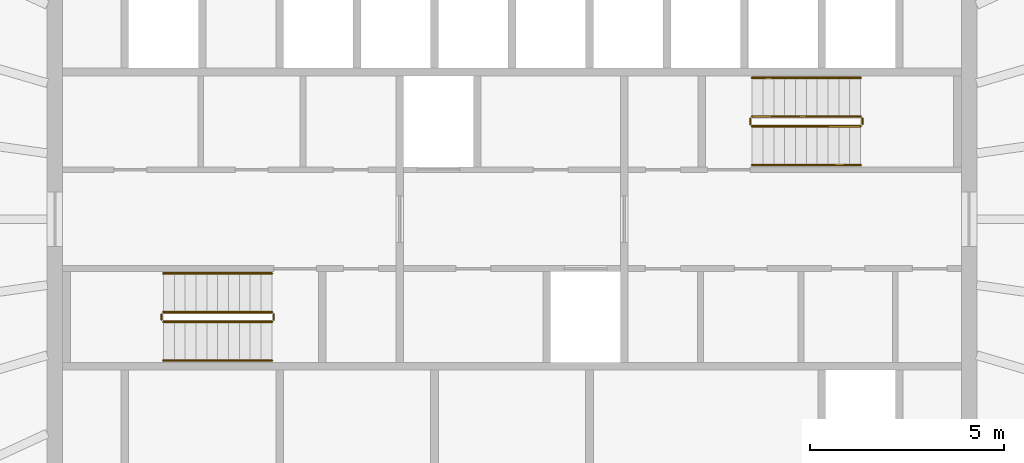
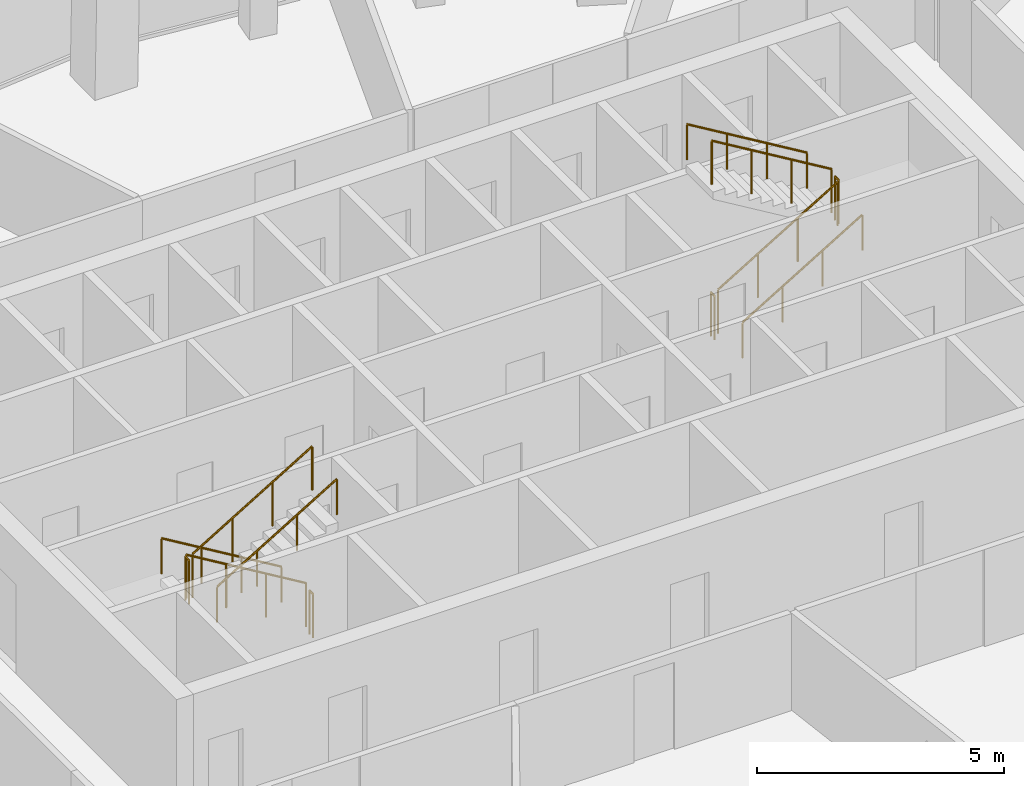
# One storey, part 12 of 12: 12 railings.
"""IFC4 building model written with IfcOpenShell, lengths in metres."""

from ifc_helpers import new_model, si_unit, direction, frame, origin, origin_2d, place, context, subcontext, project, spatial, circle, extrude, material, type_object, element, save


model = new_model("IFC4")

# Units and contexts
model_context = context("Model", 3, precision=1e-05, world=origin(), true_north=direction((0.0, 1.0)))
body_context = subcontext(model_context, "Body", "Model", "MODEL_VIEW")
ifc_project = project(units=[si_unit("LENGTHUNIT", "METRE"), si_unit("AREAUNIT", "SQUARE_METRE"), si_unit("VOLUMEUNIT", "CUBIC_METRE"), si_unit("PLANEANGLEUNIT", "RADIAN"), si_unit("MASSUNIT", "GRAM", prefix="KILO")], contexts=[model_context])

# Site, building, storey
site_placement = place(None, origin())
site = spatial("IfcSite", under=ifc_project, at=site_placement, CompositionType="ELEMENT")
building_placement = place(site_placement, origin())
building = spatial("IfcBuilding", under=site, at=building_placement, Name="Siaravel Broadcast Tower", CompositionType="ELEMENT")
storey_placement = place(building_placement, frame((0.0, 0.0, 231.89990234375)))
storey = spatial("IfcBuildingStorey", under=building, at=storey_placement, Name="L56", CompositionType="ELEMENT", Elevation=231.89990234375)

# Railings
ifc_material = material(Name="Stainless steel 316L", Category="steel")
railing_type_1 = type_object("IfcRailingType", Name="Stair guard 1100", PredefinedType="GUARDRAIL", material=ifc_material)
railing_1_placement = place(storey_placement, frame((-6.199951171875, -2.39990234375, 0.168212890625)))
element("IfcRailing", 1, at=railing_1_placement, inside=storey, type_object=railing_type_1, Name="L56 ST-1 stair guard 1", PredefinedType="GUARDRAIL", context=body_context, shape_type="SweptSolid", body=[
    extrude(circle(Radius=0.02392578125, at=origin_2d()), frame((0.0, 0.0, 1.076171875), z_axis=(-0.857242211, 0.0, 0.514913383), x_axis=(0.0, -1.0, 0.0)), (0.0, 0.0, 1.0), 3.266357421875),
    extrude(circle(Radius=0.02099609375, at=origin_2d()), origin(), (0.0, 0.0, 1.0), 1.052001953125),
    extrude(circle(Radius=0.02099609375, at=origin_2d()), frame((-0.933349609375, 0.0, 0.560546875)), (0.0, 0.0, 1.0), 1.052001953125),
    extrude(circle(Radius=0.02099609375, at=origin_2d()), frame((-1.86669921875, 0.0, 1.121337890625)), (0.0, 0.0, 1.0), 1.052001953125),
    extrude(circle(Radius=0.02099609375, at=origin_2d()), frame((-2.800048828125, 0.0, 1.681884765625)), (0.0, 0.0, 1.0), 1.052001953125),
])
railing_2_placement = place(storey_placement, frame((-9.050048828125, -2.449951171875, 1.85009765625)))
element("IfcRailing", 2, at=railing_2_placement, inside=storey, type_object=railing_type_1, Name="L56 ST-1 stair guard 2", PredefinedType="GUARDRAIL", context=body_context, shape_type="SweptSolid", body=[
    extrude(circle(Radius=0.02392578125, at=origin_2d()), frame((0.0, 0.0, 1.076171875), z_axis=(0.0, -1.0, 0.0), x_axis=(1.0, 0.0, 0.0)), (0.0, 0.0, 1.0), 0.150146484375),
    extrude(circle(Radius=0.02099609375, at=origin_2d()), origin(), (0.0, 0.0, 1.0), 1.052001953125),
    extrude(circle(Radius=0.02099609375, at=origin_2d()), frame((0.0, -0.150146484375, 0.0)), (0.0, 0.0, 1.0), 1.052001953125),
])
railing_3_placement = place(storey_placement, frame((-9.0, -2.64990234375, 2.018310546875)))
element("IfcRailing", 3, at=railing_3_placement, inside=storey, type_object=railing_type_1, Name="L56 ST-1 stair guard 3", PredefinedType="GUARDRAIL", context=body_context, shape_type="SweptSolid", body=[
    extrude(circle(Radius=0.02392578125, at=origin_2d()), frame((0.0, 0.0, 1.076171875), z_axis=(0.857242211, 0.0, 0.514913383), x_axis=(0.0, 1.0, 0.0)), (0.0, 0.0, 1.0), 3.266357421875),
    extrude(circle(Radius=0.02099609375, at=origin_2d()), origin(), (0.0, 0.0, 1.0), 1.052001953125),
    extrude(circle(Radius=0.02099609375, at=origin_2d()), frame((0.933349609375, 0.0, 0.560546875)), (0.0, 0.0, 1.0), 1.052001953125),
    extrude(circle(Radius=0.02099609375, at=origin_2d()), frame((1.86669921875, 0.0, 1.121337890625)), (0.0, 0.0, 1.0), 1.052001953125),
    extrude(circle(Radius=0.02099609375, at=origin_2d()), frame((2.800048828125, 0.0, 1.681884765625)), (0.0, 0.0, 1.0), 1.052001953125),
])
railing_4_placement = place(storey_placement, frame((-6.14990234375, -2.449951171875, 0.0)))
element("IfcRailing", 4, at=railing_4_placement, inside=storey, type_object=railing_type_1, Name="L56 ST-1 stair guard 4", PredefinedType="GUARDRAIL", context=body_context, shape_type="SweptSolid", body=[
    extrude(circle(Radius=0.02392578125, at=origin_2d()), frame((0.0, 0.0, 1.076171875), z_axis=(0.0, -1.0, 0.0), x_axis=(1.0, 0.0, 0.0)), (0.0, 0.0, 1.0), 0.150146484375),
    extrude(circle(Radius=0.02099609375, at=origin_2d()), origin(), (0.0, 0.0, 1.0), 1.052001953125),
    extrude(circle(Radius=0.02099609375, at=origin_2d()), frame((0.0, -0.150146484375, 0.0)), (0.0, 0.0, 1.0), 1.052001953125),
])
railing_5_placement = place(storey_placement, frame((6.199951171875, 2.39990234375, 0.168212890625)))
element("IfcRailing", 5, at=railing_5_placement, inside=storey, type_object=railing_type_1, Name="L56 ST-2 stair guard 1", PredefinedType="GUARDRAIL", context=body_context, shape_type="SweptSolid", body=[
    extrude(circle(Radius=0.02392578125, at=origin_2d()), frame((0.0, 0.0, 1.076171875), z_axis=(0.857242211, 0.0, 0.514913383), x_axis=(0.0, 1.0, 0.0)), (0.0, 0.0, 1.0), 3.266357421875),
    extrude(circle(Radius=0.02099609375, at=origin_2d()), origin(), (0.0, 0.0, 1.0), 1.052001953125),
    extrude(circle(Radius=0.02099609375, at=origin_2d()), frame((0.933349609375, 0.0, 0.560546875)), (0.0, 0.0, 1.0), 1.052001953125),
    extrude(circle(Radius=0.02099609375, at=origin_2d()), frame((1.86669921875, 0.0, 1.121337890625)), (0.0, 0.0, 1.0), 1.052001953125),
    extrude(circle(Radius=0.02099609375, at=origin_2d()), frame((2.800048828125, 0.0, 1.681884765625)), (0.0, 0.0, 1.0), 1.052001953125),
])
railing_6_placement = place(storey_placement, frame((9.050048828125, 2.449951171875, 1.85009765625)))
element("IfcRailing", 6, at=railing_6_placement, inside=storey, type_object=railing_type_1, Name="L56 ST-2 stair guard 2", PredefinedType="GUARDRAIL", context=body_context, shape_type="SweptSolid", body=[
    extrude(circle(Radius=0.02392578125, at=origin_2d()), frame((0.0, 0.0, 1.076171875), z_axis=(0.0, 1.0, 0.0), x_axis=(-1.0, 0.0, 0.0)), (0.0, 0.0, 1.0), 0.150146484375),
    extrude(circle(Radius=0.02099609375, at=origin_2d()), origin(), (0.0, 0.0, 1.0), 1.052001953125),
    extrude(circle(Radius=0.02099609375, at=origin_2d()), frame((0.0, 0.150146484375, 0.0)), (0.0, 0.0, 1.0), 1.052001953125),
])
railing_7_placement = place(storey_placement, frame((9.0, 2.64990234375, 2.018310546875)))
element("IfcRailing", 7, at=railing_7_placement, inside=storey, type_object=railing_type_1, Name="L56 ST-2 stair guard 3", PredefinedType="GUARDRAIL", context=body_context, shape_type="SweptSolid", body=[
    extrude(circle(Radius=0.02392578125, at=origin_2d()), frame((0.0, 0.0, 1.076171875), z_axis=(-0.857242211, 0.0, 0.514913383), x_axis=(0.0, -1.0, 0.0)), (0.0, 0.0, 1.0), 3.266357421875),
    extrude(circle(Radius=0.02099609375, at=origin_2d()), origin(), (0.0, 0.0, 1.0), 1.052001953125),
    extrude(circle(Radius=0.02099609375, at=origin_2d()), frame((-0.933349609375, 0.0, 0.560546875)), (0.0, 0.0, 1.0), 1.052001953125),
    extrude(circle(Radius=0.02099609375, at=origin_2d()), frame((-1.86669921875, 0.0, 1.121337890625)), (0.0, 0.0, 1.0), 1.052001953125),
    extrude(circle(Radius=0.02099609375, at=origin_2d()), frame((-2.800048828125, 0.0, 1.681884765625)), (0.0, 0.0, 1.0), 1.052001953125),
])
railing_8_placement = place(storey_placement, frame((6.14990234375, 2.449951171875, 0.0)))
element("IfcRailing", 8, at=railing_8_placement, inside=storey, type_object=railing_type_1, Name="L56 ST-2 stair guard 4", PredefinedType="GUARDRAIL", context=body_context, shape_type="SweptSolid", body=[
    extrude(circle(Radius=0.02392578125, at=origin_2d()), frame((0.0, 0.0, 1.076171875), z_axis=(0.0, 1.0, 0.0), x_axis=(-1.0, 0.0, 0.0)), (0.0, 0.0, 1.0), 0.150146484375),
    extrude(circle(Radius=0.02099609375, at=origin_2d()), origin(), (0.0, 0.0, 1.0), 1.052001953125),
    extrude(circle(Radius=0.02099609375, at=origin_2d()), frame((0.0, 0.150146484375, 0.0)), (0.0, 0.0, 1.0), 1.052001953125),
])
railing_type_2 = type_object("IfcRailingType", Name="Stair handrail 900", PredefinedType="HANDRAIL", material=ifc_material)
railing_9_placement = place(storey_placement, frame((-6.199951171875, -1.39990234375, 0.168212890625)))
element("IfcRailing", 9, at=railing_9_placement, inside=storey, type_object=railing_type_2, Name="L56 ST-1 stair handrail 1", PredefinedType="HANDRAIL", context=body_context, shape_type="SweptSolid", body=[
    extrude(circle(Radius=0.02392578125, at=origin_2d()), frame((0.0, 0.0, 0.8759765625), z_axis=(-0.857242211, 0.0, 0.514913383), x_axis=(0.0, -1.0, 0.0)), (0.0, 0.0, 1.0), 3.266357421875),
    extrude(circle(Radius=0.02099609375, at=origin_2d()), origin(), (0.0, 0.0, 1.0), 0.851806640625),
    extrude(circle(Radius=0.02099609375, at=origin_2d()), frame((-0.933349609375, 0.0, 0.560546875)), (0.0, 0.0, 1.0), 0.851806640625),
    extrude(circle(Radius=0.02099609375, at=origin_2d()), frame((-1.86669921875, 0.0, 1.121337890625)), (0.0, 0.0, 1.0), 0.851806640625),
    extrude(circle(Radius=0.02099609375, at=origin_2d()), frame((-2.800048828125, 0.0, 1.681884765625)), (0.0, 0.0, 1.0), 0.851806640625),
])
for number, where, name in (
    (10, (-9.0, -3.64990234375, 2.018310546875), "L56 ST-1 stair handrail 2"),
    (11, (6.199951171875, 1.39990234375, 0.168212890625), "L56 ST-2 stair handrail 1"),
):
    element("IfcRailing", number, at=place(storey_placement, frame(where)), inside=storey, type_object=railing_type_2, Name=name, PredefinedType="HANDRAIL", context=body_context, shape_type="SweptSolid", body=[
        extrude(circle(Radius=0.02392578125, at=origin_2d()), frame((0.0, 0.0, 0.8759765625), z_axis=(0.857242211, 0.0, 0.514913383), x_axis=(0.0, 1.0, 0.0)), (0.0, 0.0, 1.0), 3.266357421875),
        extrude(circle(Radius=0.02099609375, at=origin_2d()), origin(), (0.0, 0.0, 1.0), 0.851806640625),
        extrude(circle(Radius=0.02099609375, at=origin_2d()), frame((0.933349609375, 0.0, 0.560546875)), (0.0, 0.0, 1.0), 0.851806640625),
        extrude(circle(Radius=0.02099609375, at=origin_2d()), frame((1.86669921875, 0.0, 1.121337890625)), (0.0, 0.0, 1.0), 0.851806640625),
        extrude(circle(Radius=0.02099609375, at=origin_2d()), frame((2.800048828125, 0.0, 1.681884765625)), (0.0, 0.0, 1.0), 0.851806640625),
    ])
railing_10_placement = place(storey_placement, frame((9.0, 3.64990234375, 2.018310546875)))
element("IfcRailing", 12, at=railing_10_placement, inside=storey, type_object=railing_type_2, Name="L56 ST-2 stair handrail 2", PredefinedType="HANDRAIL", context=body_context, shape_type="SweptSolid", body=[
    extrude(circle(Radius=0.02392578125, at=origin_2d()), frame((0.0, 0.0, 0.8759765625), z_axis=(-0.857242211, 0.0, 0.514913383), x_axis=(0.0, -1.0, 0.0)), (0.0, 0.0, 1.0), 3.266357421875),
    extrude(circle(Radius=0.02099609375, at=origin_2d()), origin(), (0.0, 0.0, 1.0), 0.851806640625),
    extrude(circle(Radius=0.02099609375, at=origin_2d()), frame((-0.933349609375, 0.0, 0.560546875)), (0.0, 0.0, 1.0), 0.851806640625),
    extrude(circle(Radius=0.02099609375, at=origin_2d()), frame((-1.86669921875, 0.0, 1.121337890625)), (0.0, 0.0, 1.0), 0.851806640625),
    extrude(circle(Radius=0.02099609375, at=origin_2d()), frame((-2.800048828125, 0.0, 1.681884765625)), (0.0, 0.0, 1.0), 0.851806640625),
])

save(model, "model.ifc")
